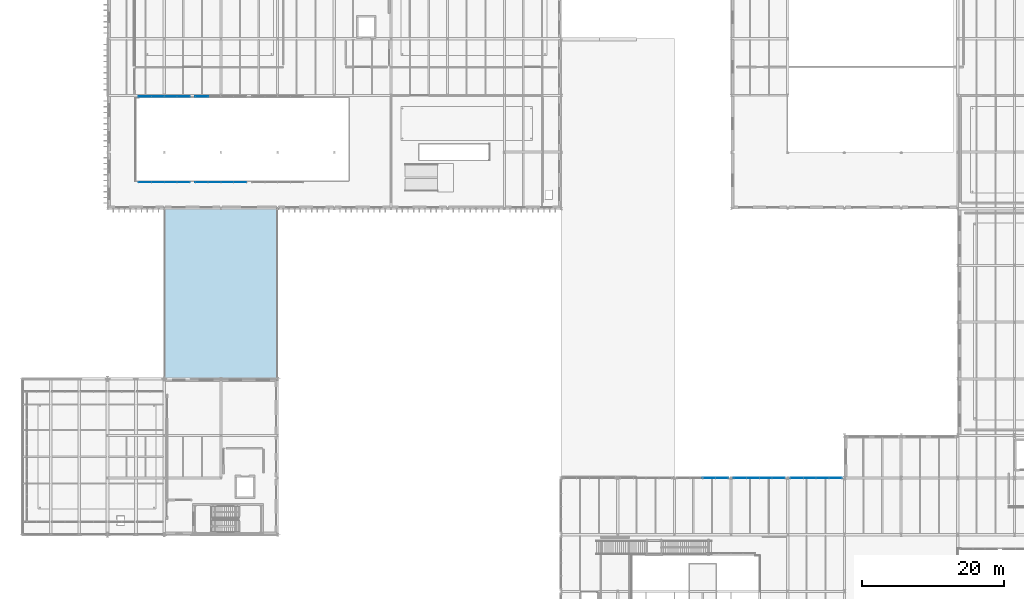
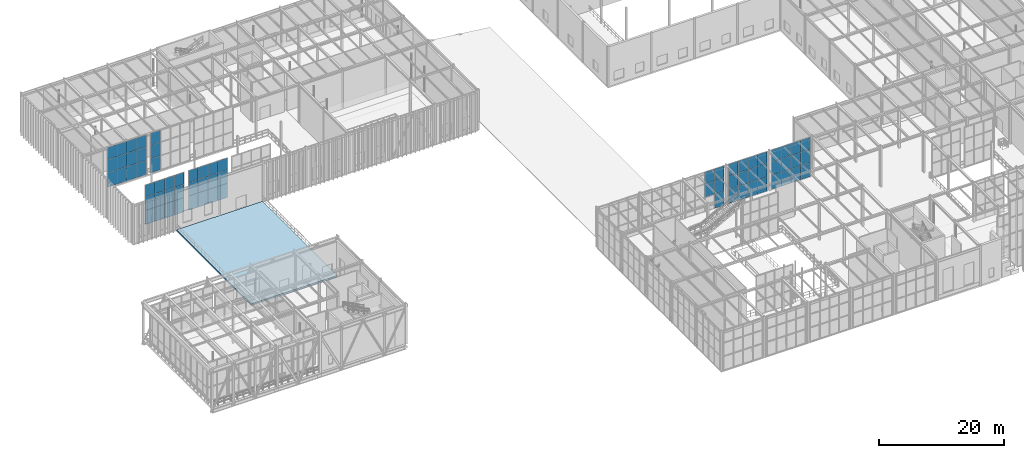
# One storey, part 77 of 138: 68 plates, 1 slab, 7 elements without a shape of their own.
"""IFC4 building model written with IfcOpenShell, lengths in metres."""

import ifcopenshell
import ifcopenshell.guid

model = None  # the IFC model being written
_history = None  # IfcOwnerHistory: only IFC2X3 demands one
_inside = {}  # id of a spatial element -> (the spatial element, [elements in it])
_under = {}  # id of a project, library or spatial element -> (it, [spatial elements below it])
_declared = {}  # id of a project -> (the project, [libraries it declares])
_typed = {}  # id of a type object -> (the type object, [elements of that type])
_made_of = {}  # id of a material, layer set ... -> (it, [elements and type objects made of it])


def new_model(schema):
    """Start an empty IFC model of exactly this schema.

    Asked for "IFC4X3", IfcOpenShell would pick the latest addendum, in which some entities
    have other attributes; the version numbers below select the first issue.
    IFC2X3 requires an IfcOwnerHistory on every rooted entity: one is made here for all.
    """
    global model, _history
    if schema == "IFC4X3":
        model = ifcopenshell.file(schema_version=(4, 3, 0, 0))
    else:
        model = ifcopenshell.file(schema=schema)
    _inside.clear()
    _under.clear()
    _declared.clear()
    _typed.clear()
    _made_of.clear()
    _history = None
    if model.schema == "IFC2X3":
        org = make("IfcOrganization", Name="unknown")
        user = make(
            "IfcPersonAndOrganization",
            ThePerson=make("IfcPerson", FamilyName="unknown"),
            TheOrganization=org,
        )
        app = make(
            "IfcApplication",
            ApplicationDeveloper=org,
            Version="unknown",
            ApplicationFullName="unknown",
            ApplicationIdentifier="unknown",
        )
        _history = make(
            "IfcOwnerHistory",
            OwningUser=user,
            OwningApplication=app,
            ChangeAction="ADDED",
            CreationDate=0,
        )
    return model


def make(cls, **values):
    """One entity of the class cls with the attributes given. An attribute that is None is left unset."""
    return model.create_entity(
        cls, **{name: value for name, value in values.items() if value is not None}
    )


def rooted(cls, **values):
    """An entity with a GlobalId (a new one), such as an element, a storey or a relation."""
    return make(cls, GlobalId=ifcopenshell.guid.new(), OwnerHistory=_history, **values)


def si_unit(unit_type, name, prefix=None):
    """IfcSIUnit, for example si_unit("LENGTHUNIT", "METRE", prefix="MILLI")."""
    return make("IfcSIUnit", UnitType=unit_type, Prefix=prefix, Name=name)


def assignment(units):
    """IfcUnitAssignment: the units of a project."""
    return None if units is None else make("IfcUnitAssignment", Units=units)


def point(xyz):
    """IfcCartesianPoint."""
    return None if xyz is None else make("IfcCartesianPoint", Coordinates=xyz)


def direction(xyz):
    """IfcDirection."""
    return None if xyz is None else make("IfcDirection", DirectionRatios=xyz)


def frame(location, z_axis=None, x_axis=None):
    """IfcAxis2Placement3D, a coordinate frame: its origin and axes. An axis left out is left unset."""
    return make(
        "IfcAxis2Placement3D",
        Location=point(location),
        Axis=direction(z_axis),
        RefDirection=direction(x_axis),
    )


def frame_2d(location, x_axis=None):
    """IfcAxis2Placement2D, a coordinate frame in the plane: its origin and x axis."""
    return make(
        "IfcAxis2Placement2D", Location=point(location), RefDirection=direction(x_axis)
    )


def origin():
    """The frame at (0, 0, 0) with its axes left unset."""
    return frame((0.0, 0.0, 0.0))


def origin_2d():
    """The frame at (0, 0) in the plane with its x axis left unset."""
    return frame_2d((0.0, 0.0))


def place(relative_to, where):
    """IfcLocalPlacement: puts the frame where relative to a parent placement (None: the world)."""
    return make(
        "IfcLocalPlacement", PlacementRelTo=relative_to, RelativePlacement=where
    )


def context(
    kind, dimensions, precision=None, world=None, true_north=None, identifier=None
):
    """IfcGeometricRepresentationContext, for example the 3D "Model" context."""
    return make(
        "IfcGeometricRepresentationContext",
        ContextIdentifier=identifier,
        ContextType=kind,
        CoordinateSpaceDimension=dimensions,
        Precision=precision,
        WorldCoordinateSystem=world,
        TrueNorth=true_north,
    )


def subcontext(parent, identifier, kind, view, scale=None):
    """IfcGeometricRepresentationSubContext, for example "Body" below "Model"."""
    return make(
        "IfcGeometricRepresentationSubContext",
        ContextIdentifier=identifier,
        ContextType=kind,
        ParentContext=parent,
        TargetScale=scale,
        TargetView=view,
    )


def project(units=None, contexts=None):
    """IfcProject with its units and contexts."""
    return rooted(
        "IfcProject",
        Name="project",
        RepresentationContexts=contexts,
        UnitsInContext=assignment(units),
    )


def spatial(cls, under=None, at=None, **own):
    """A site, building, storey or space (cls), placed at a placement, below another one or the project."""
    s = rooted(cls, ObjectPlacement=at, **own)
    if under is not None:
        _under.setdefault(under.id(), (under, []))[1].append(s)
    return s


def polyline(points):
    """IfcPolyline through the points."""
    return make("IfcPolyline", Points=[point(p) for p in points])


def profile(cls, at=None, kind="AREA", **sizes):
    """A parametric profile (cls). Its sizes go by their IFC names, for example OverallWidth=200.0."""
    return make(cls, ProfileType=kind, Position=at, **sizes)


def rectangle(**sizes):
    """IfcRectangleProfileDef."""
    return profile("IfcRectangleProfileDef", **sizes)


def outline(outer, holes=None, kind="AREA"):
    """IfcArbitraryClosedProfileDef: a profile drawn as a closed curve; with holes, ...WithVoids."""
    if holes is None:
        return make("IfcArbitraryClosedProfileDef", ProfileType=kind, OuterCurve=outer)
    return make(
        "IfcArbitraryProfileDefWithVoids",
        ProfileType=kind,
        OuterCurve=outer,
        InnerCurves=holes,
    )


def extrude(swept, where, along, depth):
    """IfcExtrudedAreaSolid: the profile swept, set in the frame where, extruded along a direction by depth."""
    return make(
        "IfcExtrudedAreaSolid",
        SweptArea=swept,
        Position=where,
        ExtrudedDirection=direction(along),
        Depth=depth,
    )


def shape(context_of_items, identifier, shape_type, items):
    """IfcShapeRepresentation: the items that make up one representation, for example the "Body"."""
    return make(
        "IfcShapeRepresentation",
        ContextOfItems=context_of_items,
        RepresentationIdentifier=identifier,
        RepresentationType=shape_type,
        Items=items,
    )


def material(Name=None, Category=None):
    """IfcMaterial."""
    return make("IfcMaterial", Name=Name, Category=Category)


def layer(
    of_material, thickness, ventilated=None, Name=None, Category=None, Priority=None
):
    """IfcMaterialLayer: one layer of a wall or slab, of a material (None: an air gap)."""
    return make(
        "IfcMaterialLayer",
        Material=of_material,
        LayerThickness=thickness,
        IsVentilated=ventilated,
        Name=Name,
        Category=Category,
        Priority=Priority,
    )


def layer_set(layers, Name=None):
    """IfcMaterialLayerSet."""
    return make("IfcMaterialLayerSet", MaterialLayers=layers, LayerSetName=Name)


def made_of(thing, what):
    """Note that an element or type object is made of a material, layer set ...; save() writes the relation."""
    if what is not None:
        _made_of.setdefault(what.id(), (what, []))[1].append(thing)
    return thing


def type_object(cls, material=None, **own):
    """A type object (cls), such as IfcWallType, which elements share."""
    return made_of(rooted(cls, **own), material)


def element(
    cls,
    number,
    at=None,
    inside=None,
    cuts=None,
    type_object=None,
    material=None,
    context=None,
    identifier="Body",
    shape_type=None,
    held_by="IfcProductDefinitionShape",
    body=None,
    shapes=None,
    **own,
):
    """One element of the class cls, such as IfcWall. Its Tag is "e" and its number.

    at: its placement. inside: the storey or other place that contains it. cuts: it is an
    opening in that element (IfcRelVoidsElement). A single representation is given by context,
    identifier, shape_type and body (its items); several are given by shapes. held_by: the class
    of the entity that holds the representations. save() writes the other relations.
    """
    e = rooted(cls, Tag="e%d" % number, ObjectPlacement=at, **own)
    if body is not None:
        shapes = [shape(context, identifier, shape_type, body)]
    if shapes is not None:
        e.Representation = make(held_by, Representations=shapes)
    if inside is not None:
        _inside.setdefault(inside.id(), (inside, []))[1].append(e)
    if cuts is not None:
        rooted(
            "IfcRelVoidsElement", RelatingBuildingElement=cuts, RelatedOpeningElement=e
        )
    if type_object is not None:
        _typed.setdefault(type_object.id(), (type_object, []))[1].append(e)
    return made_of(e, material)


def aggregate(whole, parts):
    """IfcRelAggregates: a whole, such as a stair, and the parts it consists of."""
    return rooted("IfcRelAggregates", RelatingObject=whole, RelatedObjects=parts)


def save(model, path):
    """Write the relations noted so far, then the file.

    IfcRelAggregates (storeys below a building ...), IfcRelContainedInSpatialStructure (elements
    in a storey), IfcRelDefinesByType, IfcRelAssociatesMaterial and IfcRelDeclares: one each for
    every whole, place, type object, material and project.
    """
    for whole, parts in _under.values():
        aggregate(whole, parts)
    for where, things in _inside.values():
        rooted(
            "IfcRelContainedInSpatialStructure",
            RelatedElements=things,
            RelatingStructure=where,
        )
    for kind, things in _typed.values():
        rooted("IfcRelDefinesByType", RelatedObjects=things, RelatingType=kind)
    for what, things in _made_of.values():
        rooted("IfcRelAssociatesMaterial", RelatedObjects=things, RelatingMaterial=what)
    for by, libraries in _declared.values():
        rooted("IfcRelDeclares", RelatingContext=by, RelatedDefinitions=libraries)
    model.write(path)


model = new_model("IFC4")

# Units and contexts
model_context = context("Model", 3, precision=1e-05, world=origin(), true_north=direction((0.0, 1.0)))
body_context = subcontext(model_context, "Body", "Model", "MODEL_VIEW")
ifc_project = project(units=[si_unit("LENGTHUNIT", "METRE"), si_unit("AREAUNIT", "SQUARE_METRE"), si_unit("VOLUMEUNIT", "CUBIC_METRE"), si_unit("PLANEANGLEUNIT", "RADIAN"), si_unit("MASSUNIT", "GRAM", prefix="KILO")], contexts=[model_context])

# Site, building, storey
site_placement = place(None, origin())
site = spatial("IfcSite", under=ifc_project, at=site_placement, CompositionType="ELEMENT")
building_placement = place(site_placement, origin())
building = spatial("IfcBuilding", under=site, at=building_placement, Name="Sundkrona Museum", CompositionType="ELEMENT")
storey_placement = place(building_placement, frame((0.0, 0.0, 9.60009765625)))
storey = spatial("IfcBuildingStorey", under=building, at=storey_placement, Name="L02", CompositionType="ELEMENT", Elevation=9.60009765625)

# Curtain wall, plates
ifc_material_1 = material(Name="Unitised Aluminium-Steel and Ceramic-Clad Curtain Walling", Category="steel")
curtain_wall_type_1 = type_object("IfcCurtainWallType", Name="CW-AT-72x74", PredefinedType="NOTDEFINED", material=ifc_material_1)
curtain_wall_1_placement = place(storey_placement, origin())
curtain_wall_1 = element("IfcCurtainWall", 1, at=curtain_wall_1_placement, inside=storey, type_object=curtain_wall_type_1, Name="L02 Curtain Wall CW-L02-055", PredefinedType="NOTDEFINED")
ifc_material_2 = material(Name="Triple Low-E Vision Glazing 32 mm", Category="glass")
ifc_layer_1 = layer(ifc_material_2, 0.031982421875)
ifc_layer_set_1 = layer_set([ifc_layer_1], Name="Triple Low-E Vision Glazing 32 mm")
plate_type = type_object("IfcPlateType", Name="PN-GL-01", PredefinedType="CURTAIN_PANEL", material=ifc_layer_set_1)
plate_1_placement = place(storey_placement, frame((100.89990234375, 40.0, 2.78564453125), z_axis=(0.0, 0.0, 1.0), x_axis=(1.0, 0.0, 0.0)))
plate_1 = element("IfcPlate", 2, at=plate_1_placement, type_object=plate_type, Name="CW-L02-055 Panel 08", PredefinedType="CURTAIN_PANEL", context=body_context, shape_type="SweptSolid", body=[
    extrude(rectangle(XDim=1.800048828125, YDim=0.031982421875, at=origin_2d()), origin(), (0.0, 0.0, 1.0), 2.632080078125),
])
plate_2_placement = place(storey_placement, frame((100.89990234375, 40.0, 5.41796875), z_axis=(0.0, 0.0, 1.0), x_axis=(1.0, 0.0, 0.0)))
plate_2 = element("IfcPlate", 3, at=plate_2_placement, type_object=plate_type, Name="CW-L02-055 Panel 09", PredefinedType="CURTAIN_PANEL", context=body_context, shape_type="SweptSolid", body=[
    extrude(rectangle(XDim=1.800048828125, YDim=0.031982421875, at=origin_2d()), origin(), (0.0, 0.0, 1.0), 2.325927734375),
])
plate_3_placement = place(storey_placement, frame((102.699951171875, 40.0, -0.004150390625), z_axis=(0.0, 0.0, 1.0), x_axis=(1.0, 0.0, 0.0)))
plate_3 = element("IfcPlate", 4, at=plate_3_placement, type_object=plate_type, Name="CW-L02-055 Panel 10", PredefinedType="CURTAIN_PANEL", context=body_context, shape_type="SweptSolid", body=[
    extrude(rectangle(XDim=1.800048828125, YDim=0.031982421875, at=origin_2d()), origin(), (0.0, 0.0, 1.0), 2.7900390625),
])
plate_4_placement = place(storey_placement, frame((102.699951171875, 40.0, 2.78564453125), z_axis=(0.0, 0.0, 1.0), x_axis=(1.0, 0.0, 0.0)))
plate_4 = element("IfcPlate", 5, at=plate_4_placement, type_object=plate_type, Name="CW-L02-055 Panel 11", PredefinedType="CURTAIN_PANEL", context=body_context, shape_type="SweptSolid", body=[
    extrude(rectangle(XDim=1.800048828125, YDim=0.031982421875, at=origin_2d()), origin(), (0.0, 0.0, 1.0), 2.632080078125),
])
plate_5_placement = place(storey_placement, frame((102.699951171875, 40.0, 5.41796875), z_axis=(0.0, 0.0, 1.0), x_axis=(1.0, 0.0, 0.0)))
plate_5 = element("IfcPlate", 6, at=plate_5_placement, type_object=plate_type, Name="CW-L02-055 Panel 12", PredefinedType="CURTAIN_PANEL", context=body_context, shape_type="SweptSolid", body=[
    extrude(rectangle(XDim=1.800048828125, YDim=0.031982421875, at=origin_2d()), origin(), (0.0, 0.0, 1.0), 2.325927734375),
])
aggregate(curtain_wall_1, [plate_1, plate_2, plate_3, plate_4, plate_5])

curtain_wall_2_placement = place(storey_placement, origin())
curtain_wall_2 = element("IfcCurtainWall", 7, at=curtain_wall_2_placement, inside=storey, type_object=curtain_wall_type_1, Name="L02 Curtain Wall CW-L02-056", PredefinedType="NOTDEFINED")
plate_6_placement = place(storey_placement, frame((105.300048828125, 40.0, -0.004150390625), z_axis=(0.0, 0.0, 1.0), x_axis=(1.0, 0.0, 0.0)))
plate_6 = element("IfcPlate", 8, at=plate_6_placement, type_object=plate_type, Name="CW-L02-056 Panel 01", PredefinedType="CURTAIN_PANEL", context=body_context, shape_type="SweptSolid", body=[
    extrude(rectangle(XDim=1.800048828125, YDim=0.031982421875, at=origin_2d()), origin(), (0.0, 0.0, 1.0), 2.7900390625),
])
plate_7_placement = place(storey_placement, frame((105.300048828125, 40.0, 2.78564453125), z_axis=(0.0, 0.0, 1.0), x_axis=(1.0, 0.0, 0.0)))
plate_7 = element("IfcPlate", 9, at=plate_7_placement, type_object=plate_type, Name="CW-L02-056 Panel 02", PredefinedType="CURTAIN_PANEL", context=body_context, shape_type="SweptSolid", body=[
    extrude(rectangle(XDim=1.800048828125, YDim=0.031982421875, at=origin_2d()), origin(), (0.0, 0.0, 1.0), 2.632080078125),
])
plate_8_placement = place(storey_placement, frame((105.300048828125, 40.0, 5.41796875), z_axis=(0.0, 0.0, 1.0), x_axis=(1.0, 0.0, 0.0)))
plate_8 = element("IfcPlate", 10, at=plate_8_placement, type_object=plate_type, Name="CW-L02-056 Panel 03", PredefinedType="CURTAIN_PANEL", context=body_context, shape_type="SweptSolid", body=[
    extrude(rectangle(XDim=1.800048828125, YDim=0.031982421875, at=origin_2d()), origin(), (0.0, 0.0, 1.0), 2.325927734375),
])
plate_9_placement = place(storey_placement, frame((107.10009765625, 40.0, -0.004150390625), z_axis=(0.0, 0.0, 1.0), x_axis=(1.0, 0.0, 0.0)))
plate_9 = element("IfcPlate", 11, at=plate_9_placement, type_object=plate_type, Name="CW-L02-056 Panel 04", PredefinedType="CURTAIN_PANEL", context=body_context, shape_type="SweptSolid", body=[
    extrude(rectangle(XDim=1.800048828125, YDim=0.031982421875, at=origin_2d()), origin(), (0.0, 0.0, 1.0), 2.7900390625),
])
plate_10_placement = place(storey_placement, frame((107.10009765625, 40.0, 2.78564453125), z_axis=(0.0, 0.0, 1.0), x_axis=(1.0, 0.0, 0.0)))
plate_10 = element("IfcPlate", 12, at=plate_10_placement, type_object=plate_type, Name="CW-L02-056 Panel 05", PredefinedType="CURTAIN_PANEL", context=body_context, shape_type="SweptSolid", body=[
    extrude(rectangle(XDim=1.800048828125, YDim=0.031982421875, at=origin_2d()), origin(), (0.0, 0.0, 1.0), 2.632080078125),
])
plate_11_placement = place(storey_placement, frame((107.10009765625, 40.0, 5.41796875), z_axis=(0.0, 0.0, 1.0), x_axis=(1.0, 0.0, 0.0)))
plate_11 = element("IfcPlate", 13, at=plate_11_placement, type_object=plate_type, Name="CW-L02-056 Panel 06", PredefinedType="CURTAIN_PANEL", context=body_context, shape_type="SweptSolid", body=[
    extrude(rectangle(XDim=1.800048828125, YDim=0.031982421875, at=origin_2d()), origin(), (0.0, 0.0, 1.0), 2.325927734375),
])
plate_12_placement = place(storey_placement, frame((108.89990234375, 40.0, -0.004150390625), z_axis=(0.0, 0.0, 1.0), x_axis=(1.0, 0.0, 0.0)))
plate_12 = element("IfcPlate", 14, at=plate_12_placement, type_object=plate_type, Name="CW-L02-056 Panel 07", PredefinedType="CURTAIN_PANEL", context=body_context, shape_type="SweptSolid", body=[
    extrude(rectangle(XDim=1.800048828125, YDim=0.031982421875, at=origin_2d()), origin(), (0.0, 0.0, 1.0), 2.7900390625),
])
plate_13_placement = place(storey_placement, frame((108.89990234375, 40.0, 2.78564453125), z_axis=(0.0, 0.0, 1.0), x_axis=(1.0, 0.0, 0.0)))
plate_13 = element("IfcPlate", 15, at=plate_13_placement, type_object=plate_type, Name="CW-L02-056 Panel 08", PredefinedType="CURTAIN_PANEL", context=body_context, shape_type="SweptSolid", body=[
    extrude(rectangle(XDim=1.800048828125, YDim=0.031982421875, at=origin_2d()), origin(), (0.0, 0.0, 1.0), 2.632080078125),
])
plate_14_placement = place(storey_placement, frame((108.89990234375, 40.0, 5.41796875), z_axis=(0.0, 0.0, 1.0), x_axis=(1.0, 0.0, 0.0)))
plate_14 = element("IfcPlate", 16, at=plate_14_placement, type_object=plate_type, Name="CW-L02-056 Panel 09", PredefinedType="CURTAIN_PANEL", context=body_context, shape_type="SweptSolid", body=[
    extrude(rectangle(XDim=1.800048828125, YDim=0.031982421875, at=origin_2d()), origin(), (0.0, 0.0, 1.0), 2.325927734375),
])
plate_15_placement = place(storey_placement, frame((110.699951171875, 40.0, -0.004150390625), z_axis=(0.0, 0.0, 1.0), x_axis=(1.0, 0.0, 0.0)))
plate_15 = element("IfcPlate", 17, at=plate_15_placement, type_object=plate_type, Name="CW-L02-056 Panel 10", PredefinedType="CURTAIN_PANEL", context=body_context, shape_type="SweptSolid", body=[
    extrude(rectangle(XDim=1.800048828125, YDim=0.031982421875, at=origin_2d()), origin(), (0.0, 0.0, 1.0), 2.7900390625),
])
plate_16_placement = place(storey_placement, frame((110.699951171875, 40.0, 2.78564453125), z_axis=(0.0, 0.0, 1.0), x_axis=(1.0, 0.0, 0.0)))
plate_16 = element("IfcPlate", 18, at=plate_16_placement, type_object=plate_type, Name="CW-L02-056 Panel 11", PredefinedType="CURTAIN_PANEL", context=body_context, shape_type="SweptSolid", body=[
    extrude(rectangle(XDim=1.800048828125, YDim=0.031982421875, at=origin_2d()), origin(), (0.0, 0.0, 1.0), 2.632080078125),
])
plate_17_placement = place(storey_placement, frame((110.699951171875, 40.0, 5.41796875), z_axis=(0.0, 0.0, 1.0), x_axis=(1.0, 0.0, 0.0)))
plate_17 = element("IfcPlate", 19, at=plate_17_placement, type_object=plate_type, Name="CW-L02-056 Panel 12", PredefinedType="CURTAIN_PANEL", context=body_context, shape_type="SweptSolid", body=[
    extrude(rectangle(XDim=1.800048828125, YDim=0.031982421875, at=origin_2d()), origin(), (0.0, 0.0, 1.0), 2.325927734375),
])
aggregate(curtain_wall_2, [plate_6, plate_7, plate_8, plate_9, plate_10, plate_11, plate_12, plate_13, plate_14, plate_15, plate_16, plate_17])

curtain_wall_3_placement = place(storey_placement, origin())
curtain_wall_3 = element("IfcCurtainWall", 20, at=curtain_wall_3_placement, inside=storey, type_object=curtain_wall_type_1, Name="L02 Curtain Wall CW-L02-057", PredefinedType="NOTDEFINED")
plate_18_placement = place(storey_placement, frame((113.300048828125, 40.0, -0.004150390625), z_axis=(0.0, 0.0, 1.0), x_axis=(1.0, 0.0, 0.0)))
plate_18 = element("IfcPlate", 21, at=plate_18_placement, type_object=plate_type, Name="CW-L02-057 Panel 01", PredefinedType="CURTAIN_PANEL", context=body_context, shape_type="SweptSolid", body=[
    extrude(rectangle(XDim=1.800048828125, YDim=0.031982421875, at=origin_2d()), origin(), (0.0, 0.0, 1.0), 2.7900390625),
])
plate_19_placement = place(storey_placement, frame((113.300048828125, 40.0, 2.78564453125), z_axis=(0.0, 0.0, 1.0), x_axis=(1.0, 0.0, 0.0)))
plate_19 = element("IfcPlate", 22, at=plate_19_placement, type_object=plate_type, Name="CW-L02-057 Panel 02", PredefinedType="CURTAIN_PANEL", context=body_context, shape_type="SweptSolid", body=[
    extrude(rectangle(XDim=1.800048828125, YDim=0.031982421875, at=origin_2d()), origin(), (0.0, 0.0, 1.0), 2.632080078125),
])
plate_20_placement = place(storey_placement, frame((113.300048828125, 40.0, 5.41796875), z_axis=(0.0, 0.0, 1.0), x_axis=(1.0, 0.0, 0.0)))
plate_20 = element("IfcPlate", 23, at=plate_20_placement, type_object=plate_type, Name="CW-L02-057 Panel 03", PredefinedType="CURTAIN_PANEL", context=body_context, shape_type="SweptSolid", body=[
    extrude(rectangle(XDim=1.800048828125, YDim=0.031982421875, at=origin_2d()), origin(), (0.0, 0.0, 1.0), 2.325927734375),
])
plate_21_placement = place(storey_placement, frame((115.10009765625, 40.0, -0.004150390625), z_axis=(0.0, 0.0, 1.0), x_axis=(1.0, 0.0, 0.0)))
plate_21 = element("IfcPlate", 24, at=plate_21_placement, type_object=plate_type, Name="CW-L02-057 Panel 04", PredefinedType="CURTAIN_PANEL", context=body_context, shape_type="SweptSolid", body=[
    extrude(rectangle(XDim=1.800048828125, YDim=0.031982421875, at=origin_2d()), origin(), (0.0, 0.0, 1.0), 2.7900390625),
])
plate_22_placement = place(storey_placement, frame((115.10009765625, 40.0, 2.78564453125), z_axis=(0.0, 0.0, 1.0), x_axis=(1.0, 0.0, 0.0)))
plate_22 = element("IfcPlate", 25, at=plate_22_placement, type_object=plate_type, Name="CW-L02-057 Panel 05", PredefinedType="CURTAIN_PANEL", context=body_context, shape_type="SweptSolid", body=[
    extrude(rectangle(XDim=1.800048828125, YDim=0.031982421875, at=origin_2d()), origin(), (0.0, 0.0, 1.0), 2.632080078125),
])
plate_23_placement = place(storey_placement, frame((115.10009765625, 40.0, 5.41796875), z_axis=(0.0, 0.0, 1.0), x_axis=(1.0, 0.0, 0.0)))
plate_23 = element("IfcPlate", 26, at=plate_23_placement, type_object=plate_type, Name="CW-L02-057 Panel 06", PredefinedType="CURTAIN_PANEL", context=body_context, shape_type="SweptSolid", body=[
    extrude(rectangle(XDim=1.800048828125, YDim=0.031982421875, at=origin_2d()), origin(), (0.0, 0.0, 1.0), 2.325927734375),
])
plate_24_placement = place(storey_placement, frame((116.89990234375, 40.0, -0.004150390625), z_axis=(0.0, 0.0, 1.0), x_axis=(1.0, 0.0, 0.0)))
plate_24 = element("IfcPlate", 27, at=plate_24_placement, type_object=plate_type, Name="CW-L02-057 Panel 07", PredefinedType="CURTAIN_PANEL", context=body_context, shape_type="SweptSolid", body=[
    extrude(rectangle(XDim=1.800048828125, YDim=0.031982421875, at=origin_2d()), origin(), (0.0, 0.0, 1.0), 2.7900390625),
])
plate_25_placement = place(storey_placement, frame((116.89990234375, 40.0, 2.78564453125), z_axis=(0.0, 0.0, 1.0), x_axis=(1.0, 0.0, 0.0)))
plate_25 = element("IfcPlate", 28, at=plate_25_placement, type_object=plate_type, Name="CW-L02-057 Panel 08", PredefinedType="CURTAIN_PANEL", context=body_context, shape_type="SweptSolid", body=[
    extrude(rectangle(XDim=1.800048828125, YDim=0.031982421875, at=origin_2d()), origin(), (0.0, 0.0, 1.0), 2.632080078125),
])
plate_26_placement = place(storey_placement, frame((116.89990234375, 40.0, 5.41796875), z_axis=(0.0, 0.0, 1.0), x_axis=(1.0, 0.0, 0.0)))
plate_26 = element("IfcPlate", 29, at=plate_26_placement, type_object=plate_type, Name="CW-L02-057 Panel 09", PredefinedType="CURTAIN_PANEL", context=body_context, shape_type="SweptSolid", body=[
    extrude(rectangle(XDim=1.800048828125, YDim=0.031982421875, at=origin_2d()), origin(), (0.0, 0.0, 1.0), 2.325927734375),
])
plate_27_placement = place(storey_placement, frame((118.699951171875, 40.0, -0.004150390625), z_axis=(0.0, 0.0, 1.0), x_axis=(1.0, 0.0, 0.0)))
plate_27 = element("IfcPlate", 30, at=plate_27_placement, type_object=plate_type, Name="CW-L02-057 Panel 10", PredefinedType="CURTAIN_PANEL", context=body_context, shape_type="SweptSolid", body=[
    extrude(rectangle(XDim=1.800048828125, YDim=0.031982421875, at=origin_2d()), origin(), (0.0, 0.0, 1.0), 2.7900390625),
])
plate_28_placement = place(storey_placement, frame((118.699951171875, 40.0, 2.78564453125), z_axis=(0.0, 0.0, 1.0), x_axis=(1.0, 0.0, 0.0)))
plate_28 = element("IfcPlate", 31, at=plate_28_placement, type_object=plate_type, Name="CW-L02-057 Panel 11", PredefinedType="CURTAIN_PANEL", context=body_context, shape_type="SweptSolid", body=[
    extrude(rectangle(XDim=1.800048828125, YDim=0.031982421875, at=origin_2d()), origin(), (0.0, 0.0, 1.0), 2.632080078125),
])
plate_29_placement = place(storey_placement, frame((118.699951171875, 40.0, 5.41796875), z_axis=(0.0, 0.0, 1.0), x_axis=(1.0, 0.0, 0.0)))
plate_29 = element("IfcPlate", 32, at=plate_29_placement, type_object=plate_type, Name="CW-L02-057 Panel 12", PredefinedType="CURTAIN_PANEL", context=body_context, shape_type="SweptSolid", body=[
    extrude(rectangle(XDim=1.800048828125, YDim=0.031982421875, at=origin_2d()), origin(), (0.0, 0.0, 1.0), 2.325927734375),
])
aggregate(curtain_wall_3, [plate_18, plate_19, plate_20, plate_21, plate_22, plate_23, plate_24, plate_25, plate_26, plate_27, plate_28, plate_29])

curtain_wall_type_2 = type_object("IfcCurtainWallType", Name="CW-CL-64x48", PredefinedType="NOTDEFINED", material=ifc_material_1)
curtain_wall_4_placement = place(storey_placement, origin())
curtain_wall_4 = element("IfcCurtainWall", 33, at=curtain_wall_4_placement, inside=storey, type_object=curtain_wall_type_2, Name="L02 Curtain Wall CW-L02-130", PredefinedType="NOTDEFINED")
plate_30_placement = place(storey_placement, frame((21.300048828125, 81.75, -0.00390625), z_axis=(0.0, 0.0, 1.0), x_axis=(1.0, 0.0, 0.0)))
plate_30 = element("IfcPlate", 34, at=plate_30_placement, type_object=plate_type, Name="CW-L02-130 Panel 01", PredefinedType="CURTAIN_PANEL", context=body_context, shape_type="SweptSolid", body=[
    extrude(rectangle(XDim=1.800048828125, YDim=0.031982421875, at=origin_2d()), origin(), (0.0, 0.0, 1.0), 2.798095703125),
])
plate_31_placement = place(storey_placement, frame((21.300048828125, 81.75, 2.7939453125), z_axis=(0.0, 0.0, 1.0), x_axis=(1.0, 0.0, 0.0)))
plate_31 = element("IfcPlate", 35, at=plate_31_placement, type_object=plate_type, Name="CW-L02-130 Panel 02", PredefinedType="CURTAIN_PANEL", context=body_context, shape_type="SweptSolid", body=[
    extrude(rectangle(XDim=1.800048828125, YDim=0.031982421875, at=origin_2d()), origin(), (0.0, 0.0, 1.0), 2.637939453125),
])
plate_32_placement = place(storey_placement, frame((21.300048828125, 81.75, 5.431884765625), z_axis=(0.0, 0.0, 1.0), x_axis=(1.0, 0.0, 0.0)))
plate_32 = element("IfcPlate", 36, at=plate_32_placement, type_object=plate_type, Name="CW-L02-130 Panel 03", PredefinedType="CURTAIN_PANEL", context=body_context, shape_type="SweptSolid", body=[
    extrude(rectangle(XDim=1.800048828125, YDim=0.031982421875, at=origin_2d()), origin(), (0.0, 0.0, 1.0), 2.33203125),
])
plate_33_placement = place(storey_placement, frame((23.10009765625, 81.75, -0.00390625), z_axis=(0.0, 0.0, 1.0), x_axis=(1.0, 0.0, 0.0)))
plate_33 = element("IfcPlate", 37, at=plate_33_placement, type_object=plate_type, Name="CW-L02-130 Panel 04", PredefinedType="CURTAIN_PANEL", context=body_context, shape_type="SweptSolid", body=[
    extrude(rectangle(XDim=1.800048828125, YDim=0.031982421875, at=origin_2d()), origin(), (0.0, 0.0, 1.0), 2.798095703125),
])
plate_34_placement = place(storey_placement, frame((23.10009765625, 81.75, 2.7939453125), z_axis=(0.0, 0.0, 1.0), x_axis=(1.0, 0.0, 0.0)))
plate_34 = element("IfcPlate", 38, at=plate_34_placement, type_object=plate_type, Name="CW-L02-130 Panel 05", PredefinedType="CURTAIN_PANEL", context=body_context, shape_type="SweptSolid", body=[
    extrude(rectangle(XDim=1.800048828125, YDim=0.031982421875, at=origin_2d()), origin(), (0.0, 0.0, 1.0), 2.637939453125),
])
plate_35_placement = place(storey_placement, frame((23.10009765625, 81.75, 5.431884765625), z_axis=(0.0, 0.0, 1.0), x_axis=(1.0, 0.0, 0.0)))
plate_35 = element("IfcPlate", 39, at=plate_35_placement, type_object=plate_type, Name="CW-L02-130 Panel 06", PredefinedType="CURTAIN_PANEL", context=body_context, shape_type="SweptSolid", body=[
    extrude(rectangle(XDim=1.800048828125, YDim=0.031982421875, at=origin_2d()), origin(), (0.0, 0.0, 1.0), 2.33203125),
])
plate_36_placement = place(storey_placement, frame((24.89990234375, 81.75, -0.00390625), z_axis=(0.0, 0.0, 1.0), x_axis=(1.0, 0.0, 0.0)))
plate_36 = element("IfcPlate", 40, at=plate_36_placement, type_object=plate_type, Name="CW-L02-130 Panel 07", PredefinedType="CURTAIN_PANEL", context=body_context, shape_type="SweptSolid", body=[
    extrude(rectangle(XDim=1.800048828125, YDim=0.031982421875, at=origin_2d()), origin(), (0.0, 0.0, 1.0), 2.798095703125),
])
plate_37_placement = place(storey_placement, frame((24.89990234375, 81.75, 2.7939453125), z_axis=(0.0, 0.0, 1.0), x_axis=(1.0, 0.0, 0.0)))
plate_37 = element("IfcPlate", 41, at=plate_37_placement, type_object=plate_type, Name="CW-L02-130 Panel 08", PredefinedType="CURTAIN_PANEL", context=body_context, shape_type="SweptSolid", body=[
    extrude(rectangle(XDim=1.800048828125, YDim=0.031982421875, at=origin_2d()), origin(), (0.0, 0.0, 1.0), 2.637939453125),
])
plate_38_placement = place(storey_placement, frame((24.89990234375, 81.75, 5.431884765625), z_axis=(0.0, 0.0, 1.0), x_axis=(1.0, 0.0, 0.0)))
plate_38 = element("IfcPlate", 42, at=plate_38_placement, type_object=plate_type, Name="CW-L02-130 Panel 09", PredefinedType="CURTAIN_PANEL", context=body_context, shape_type="SweptSolid", body=[
    extrude(rectangle(XDim=1.800048828125, YDim=0.031982421875, at=origin_2d()), origin(), (0.0, 0.0, 1.0), 2.33203125),
])
plate_39_placement = place(storey_placement, frame((26.699951171875, 81.75, -0.00390625), z_axis=(0.0, 0.0, 1.0), x_axis=(1.0, 0.0, 0.0)))
plate_39 = element("IfcPlate", 43, at=plate_39_placement, type_object=plate_type, Name="CW-L02-130 Panel 10", PredefinedType="CURTAIN_PANEL", context=body_context, shape_type="SweptSolid", body=[
    extrude(rectangle(XDim=1.800048828125, YDim=0.031982421875, at=origin_2d()), origin(), (0.0, 0.0, 1.0), 2.798095703125),
])
plate_40_placement = place(storey_placement, frame((26.699951171875, 81.75, 2.7939453125), z_axis=(0.0, 0.0, 1.0), x_axis=(1.0, 0.0, 0.0)))
plate_40 = element("IfcPlate", 44, at=plate_40_placement, type_object=plate_type, Name="CW-L02-130 Panel 11", PredefinedType="CURTAIN_PANEL", context=body_context, shape_type="SweptSolid", body=[
    extrude(rectangle(XDim=1.800048828125, YDim=0.031982421875, at=origin_2d()), origin(), (0.0, 0.0, 1.0), 2.637939453125),
])
plate_41_placement = place(storey_placement, frame((26.699951171875, 81.75, 5.431884765625), z_axis=(0.0, 0.0, 1.0), x_axis=(1.0, 0.0, 0.0)))
plate_41 = element("IfcPlate", 45, at=plate_41_placement, type_object=plate_type, Name="CW-L02-130 Panel 12", PredefinedType="CURTAIN_PANEL", context=body_context, shape_type="SweptSolid", body=[
    extrude(rectangle(XDim=1.800048828125, YDim=0.031982421875, at=origin_2d()), origin(), (0.0, 0.0, 1.0), 2.33203125),
])
aggregate(curtain_wall_4, [plate_30, plate_31, plate_32, plate_33, plate_34, plate_35, plate_36, plate_37, plate_38, plate_39, plate_40, plate_41])

curtain_wall_5_placement = place(storey_placement, origin())
curtain_wall_5 = element("IfcCurtainWall", 46, at=curtain_wall_5_placement, inside=storey, type_object=curtain_wall_type_2, Name="L02 Curtain Wall CW-L02-131", PredefinedType="NOTDEFINED")
plate_42_placement = place(storey_placement, frame((21.300048828125, 93.85009765625, -0.00390625), z_axis=(0.0, 0.0, 1.0), x_axis=(1.0, 0.0, 0.0)))
plate_42 = element("IfcPlate", 47, at=plate_42_placement, type_object=plate_type, Name="CW-L02-131 Panel 01", PredefinedType="CURTAIN_PANEL", context=body_context, shape_type="SweptSolid", body=[
    extrude(rectangle(XDim=1.800048828125, YDim=0.031982421875, at=origin_2d()), origin(), (0.0, 0.0, 1.0), 2.798095703125),
])
plate_43_placement = place(storey_placement, frame((21.300048828125, 93.85009765625, 2.7939453125), z_axis=(0.0, 0.0, 1.0), x_axis=(1.0, 0.0, 0.0)))
plate_43 = element("IfcPlate", 48, at=plate_43_placement, type_object=plate_type, Name="CW-L02-131 Panel 02", PredefinedType="CURTAIN_PANEL", context=body_context, shape_type="SweptSolid", body=[
    extrude(rectangle(XDim=1.800048828125, YDim=0.031982421875, at=origin_2d()), origin(), (0.0, 0.0, 1.0), 2.637939453125),
])
plate_44_placement = place(storey_placement, frame((21.300048828125, 93.85009765625, 5.431884765625), z_axis=(0.0, 0.0, 1.0), x_axis=(1.0, 0.0, 0.0)))
plate_44 = element("IfcPlate", 49, at=plate_44_placement, type_object=plate_type, Name="CW-L02-131 Panel 03", PredefinedType="CURTAIN_PANEL", context=body_context, shape_type="SweptSolid", body=[
    extrude(rectangle(XDim=1.800048828125, YDim=0.031982421875, at=origin_2d()), origin(), (0.0, 0.0, 1.0), 2.33203125),
])
plate_45_placement = place(storey_placement, frame((23.10009765625, 93.85009765625, -0.00390625), z_axis=(0.0, 0.0, 1.0), x_axis=(1.0, 0.0, 0.0)))
plate_45 = element("IfcPlate", 50, at=plate_45_placement, type_object=plate_type, Name="CW-L02-131 Panel 04", PredefinedType="CURTAIN_PANEL", context=body_context, shape_type="SweptSolid", body=[
    extrude(rectangle(XDim=1.800048828125, YDim=0.031982421875, at=origin_2d()), origin(), (0.0, 0.0, 1.0), 2.798095703125),
])
plate_46_placement = place(storey_placement, frame((23.10009765625, 93.85009765625, 2.7939453125), z_axis=(0.0, 0.0, 1.0), x_axis=(1.0, 0.0, 0.0)))
plate_46 = element("IfcPlate", 51, at=plate_46_placement, type_object=plate_type, Name="CW-L02-131 Panel 05", PredefinedType="CURTAIN_PANEL", context=body_context, shape_type="SweptSolid", body=[
    extrude(rectangle(XDim=1.800048828125, YDim=0.031982421875, at=origin_2d()), origin(), (0.0, 0.0, 1.0), 2.637939453125),
])
plate_47_placement = place(storey_placement, frame((23.10009765625, 93.85009765625, 5.431884765625), z_axis=(0.0, 0.0, 1.0), x_axis=(1.0, 0.0, 0.0)))
plate_47 = element("IfcPlate", 52, at=plate_47_placement, type_object=plate_type, Name="CW-L02-131 Panel 06", PredefinedType="CURTAIN_PANEL", context=body_context, shape_type="SweptSolid", body=[
    extrude(rectangle(XDim=1.800048828125, YDim=0.031982421875, at=origin_2d()), origin(), (0.0, 0.0, 1.0), 2.33203125),
])
plate_48_placement = place(storey_placement, frame((24.89990234375, 93.85009765625, -0.00390625), z_axis=(0.0, 0.0, 1.0), x_axis=(1.0, 0.0, 0.0)))
plate_48 = element("IfcPlate", 53, at=plate_48_placement, type_object=plate_type, Name="CW-L02-131 Panel 07", PredefinedType="CURTAIN_PANEL", context=body_context, shape_type="SweptSolid", body=[
    extrude(rectangle(XDim=1.800048828125, YDim=0.031982421875, at=origin_2d()), origin(), (0.0, 0.0, 1.0), 2.798095703125),
])
plate_49_placement = place(storey_placement, frame((24.89990234375, 93.85009765625, 2.7939453125), z_axis=(0.0, 0.0, 1.0), x_axis=(1.0, 0.0, 0.0)))
plate_49 = element("IfcPlate", 54, at=plate_49_placement, type_object=plate_type, Name="CW-L02-131 Panel 08", PredefinedType="CURTAIN_PANEL", context=body_context, shape_type="SweptSolid", body=[
    extrude(rectangle(XDim=1.800048828125, YDim=0.031982421875, at=origin_2d()), origin(), (0.0, 0.0, 1.0), 2.637939453125),
])
plate_50_placement = place(storey_placement, frame((24.89990234375, 93.85009765625, 5.431884765625), z_axis=(0.0, 0.0, 1.0), x_axis=(1.0, 0.0, 0.0)))
plate_50 = element("IfcPlate", 55, at=plate_50_placement, type_object=plate_type, Name="CW-L02-131 Panel 09", PredefinedType="CURTAIN_PANEL", context=body_context, shape_type="SweptSolid", body=[
    extrude(rectangle(XDim=1.800048828125, YDim=0.031982421875, at=origin_2d()), origin(), (0.0, 0.0, 1.0), 2.33203125),
])
plate_51_placement = place(storey_placement, frame((26.699951171875, 93.85009765625, -0.00390625), z_axis=(0.0, 0.0, 1.0), x_axis=(1.0, 0.0, 0.0)))
plate_51 = element("IfcPlate", 56, at=plate_51_placement, type_object=plate_type, Name="CW-L02-131 Panel 10", PredefinedType="CURTAIN_PANEL", context=body_context, shape_type="SweptSolid", body=[
    extrude(rectangle(XDim=1.800048828125, YDim=0.031982421875, at=origin_2d()), origin(), (0.0, 0.0, 1.0), 2.798095703125),
])
plate_52_placement = place(storey_placement, frame((26.699951171875, 93.85009765625, 2.7939453125), z_axis=(0.0, 0.0, 1.0), x_axis=(1.0, 0.0, 0.0)))
plate_52 = element("IfcPlate", 57, at=plate_52_placement, type_object=plate_type, Name="CW-L02-131 Panel 11", PredefinedType="CURTAIN_PANEL", context=body_context, shape_type="SweptSolid", body=[
    extrude(rectangle(XDim=1.800048828125, YDim=0.031982421875, at=origin_2d()), origin(), (0.0, 0.0, 1.0), 2.637939453125),
])
plate_53_placement = place(storey_placement, frame((26.699951171875, 93.85009765625, 5.431884765625), z_axis=(0.0, 0.0, 1.0), x_axis=(1.0, 0.0, 0.0)))
plate_53 = element("IfcPlate", 58, at=plate_53_placement, type_object=plate_type, Name="CW-L02-131 Panel 12", PredefinedType="CURTAIN_PANEL", context=body_context, shape_type="SweptSolid", body=[
    extrude(rectangle(XDim=1.800048828125, YDim=0.031982421875, at=origin_2d()), origin(), (0.0, 0.0, 1.0), 2.33203125),
])
aggregate(curtain_wall_5, [plate_42, plate_43, plate_44, plate_45, plate_46, plate_47, plate_48, plate_49, plate_50, plate_51, plate_52, plate_53])

curtain_wall_6_placement = place(storey_placement, origin())
curtain_wall_6 = element("IfcCurtainWall", 59, at=curtain_wall_6_placement, inside=storey, type_object=curtain_wall_type_2, Name="L02 Curtain Wall CW-L02-132", PredefinedType="NOTDEFINED")
plate_54_placement = place(storey_placement, frame((29.300048828125, 81.75, -0.00390625), z_axis=(0.0, 0.0, 1.0), x_axis=(1.0, 0.0, 0.0)))
plate_54 = element("IfcPlate", 60, at=plate_54_placement, type_object=plate_type, Name="CW-L02-132 Panel 01", PredefinedType="CURTAIN_PANEL", context=body_context, shape_type="SweptSolid", body=[
    extrude(rectangle(XDim=1.800048828125, YDim=0.031982421875, at=origin_2d()), origin(), (0.0, 0.0, 1.0), 2.798095703125),
])
plate_55_placement = place(storey_placement, frame((29.300048828125, 81.75, 2.7939453125), z_axis=(0.0, 0.0, 1.0), x_axis=(1.0, 0.0, 0.0)))
plate_55 = element("IfcPlate", 61, at=plate_55_placement, type_object=plate_type, Name="CW-L02-132 Panel 02", PredefinedType="CURTAIN_PANEL", context=body_context, shape_type="SweptSolid", body=[
    extrude(rectangle(XDim=1.800048828125, YDim=0.031982421875, at=origin_2d()), origin(), (0.0, 0.0, 1.0), 2.637939453125),
])
plate_56_placement = place(storey_placement, frame((29.300048828125, 81.75, 5.431884765625), z_axis=(0.0, 0.0, 1.0), x_axis=(1.0, 0.0, 0.0)))
plate_56 = element("IfcPlate", 62, at=plate_56_placement, type_object=plate_type, Name="CW-L02-132 Panel 03", PredefinedType="CURTAIN_PANEL", context=body_context, shape_type="SweptSolid", body=[
    extrude(rectangle(XDim=1.800048828125, YDim=0.031982421875, at=origin_2d()), origin(), (0.0, 0.0, 1.0), 2.33203125),
])
plate_57_placement = place(storey_placement, frame((31.10009765625, 81.75, -0.00390625), z_axis=(0.0, 0.0, 1.0), x_axis=(1.0, 0.0, 0.0)))
plate_57 = element("IfcPlate", 63, at=plate_57_placement, type_object=plate_type, Name="CW-L02-132 Panel 04", PredefinedType="CURTAIN_PANEL", context=body_context, shape_type="SweptSolid", body=[
    extrude(rectangle(XDim=1.800048828125, YDim=0.031982421875, at=origin_2d()), origin(), (0.0, 0.0, 1.0), 2.798095703125),
])
plate_58_placement = place(storey_placement, frame((31.10009765625, 81.75, 2.7939453125), z_axis=(0.0, 0.0, 1.0), x_axis=(1.0, 0.0, 0.0)))
plate_58 = element("IfcPlate", 64, at=plate_58_placement, type_object=plate_type, Name="CW-L02-132 Panel 05", PredefinedType="CURTAIN_PANEL", context=body_context, shape_type="SweptSolid", body=[
    extrude(rectangle(XDim=1.800048828125, YDim=0.031982421875, at=origin_2d()), origin(), (0.0, 0.0, 1.0), 2.637939453125),
])
plate_59_placement = place(storey_placement, frame((31.10009765625, 81.75, 5.431884765625), z_axis=(0.0, 0.0, 1.0), x_axis=(1.0, 0.0, 0.0)))
plate_59 = element("IfcPlate", 65, at=plate_59_placement, type_object=plate_type, Name="CW-L02-132 Panel 06", PredefinedType="CURTAIN_PANEL", context=body_context, shape_type="SweptSolid", body=[
    extrude(rectangle(XDim=1.800048828125, YDim=0.031982421875, at=origin_2d()), origin(), (0.0, 0.0, 1.0), 2.33203125),
])
plate_60_placement = place(storey_placement, frame((32.89990234375, 81.75, -0.00390625), z_axis=(0.0, 0.0, 1.0), x_axis=(1.0, 0.0, 0.0)))
plate_60 = element("IfcPlate", 66, at=plate_60_placement, type_object=plate_type, Name="CW-L02-132 Panel 07", PredefinedType="CURTAIN_PANEL", context=body_context, shape_type="SweptSolid", body=[
    extrude(rectangle(XDim=1.800048828125, YDim=0.031982421875, at=origin_2d()), origin(), (0.0, 0.0, 1.0), 2.798095703125),
])
plate_61_placement = place(storey_placement, frame((32.89990234375, 81.75, 2.7939453125), z_axis=(0.0, 0.0, 1.0), x_axis=(1.0, 0.0, 0.0)))
plate_61 = element("IfcPlate", 67, at=plate_61_placement, type_object=plate_type, Name="CW-L02-132 Panel 08", PredefinedType="CURTAIN_PANEL", context=body_context, shape_type="SweptSolid", body=[
    extrude(rectangle(XDim=1.800048828125, YDim=0.031982421875, at=origin_2d()), origin(), (0.0, 0.0, 1.0), 2.637939453125),
])
plate_62_placement = place(storey_placement, frame((32.89990234375, 81.75, 5.431884765625), z_axis=(0.0, 0.0, 1.0), x_axis=(1.0, 0.0, 0.0)))
plate_62 = element("IfcPlate", 68, at=plate_62_placement, type_object=plate_type, Name="CW-L02-132 Panel 09", PredefinedType="CURTAIN_PANEL", context=body_context, shape_type="SweptSolid", body=[
    extrude(rectangle(XDim=1.800048828125, YDim=0.031982421875, at=origin_2d()), origin(), (0.0, 0.0, 1.0), 2.33203125),
])
plate_63_placement = place(storey_placement, frame((34.699951171875, 81.75, -0.00390625), z_axis=(0.0, 0.0, 1.0), x_axis=(1.0, 0.0, 0.0)))
plate_63 = element("IfcPlate", 69, at=plate_63_placement, type_object=plate_type, Name="CW-L02-132 Panel 10", PredefinedType="CURTAIN_PANEL", context=body_context, shape_type="SweptSolid", body=[
    extrude(rectangle(XDim=1.800048828125, YDim=0.031982421875, at=origin_2d()), origin(), (0.0, 0.0, 1.0), 2.798095703125),
])
plate_64_placement = place(storey_placement, frame((34.699951171875, 81.75, 2.7939453125), z_axis=(0.0, 0.0, 1.0), x_axis=(1.0, 0.0, 0.0)))
plate_64 = element("IfcPlate", 70, at=plate_64_placement, type_object=plate_type, Name="CW-L02-132 Panel 11", PredefinedType="CURTAIN_PANEL", context=body_context, shape_type="SweptSolid", body=[
    extrude(rectangle(XDim=1.800048828125, YDim=0.031982421875, at=origin_2d()), origin(), (0.0, 0.0, 1.0), 2.637939453125),
])
plate_65_placement = place(storey_placement, frame((34.699951171875, 81.75, 5.431884765625), z_axis=(0.0, 0.0, 1.0), x_axis=(1.0, 0.0, 0.0)))
plate_65 = element("IfcPlate", 71, at=plate_65_placement, type_object=plate_type, Name="CW-L02-132 Panel 12", PredefinedType="CURTAIN_PANEL", context=body_context, shape_type="SweptSolid", body=[
    extrude(rectangle(XDim=1.800048828125, YDim=0.031982421875, at=origin_2d()), origin(), (0.0, 0.0, 1.0), 2.33203125),
])
aggregate(curtain_wall_6, [plate_54, plate_55, plate_56, plate_57, plate_58, plate_59, plate_60, plate_61, plate_62, plate_63, plate_64, plate_65])

curtain_wall_7_placement = place(storey_placement, origin())
curtain_wall_7 = element("IfcCurtainWall", 72, at=curtain_wall_7_placement, inside=storey, type_object=curtain_wall_type_2, Name="L02 Curtain Wall CW-L02-133", PredefinedType="NOTDEFINED")
plate_66_placement = place(storey_placement, frame((29.300048828125, 93.85009765625, -0.00390625), z_axis=(0.0, 0.0, 1.0), x_axis=(1.0, 0.0, 0.0)))
plate_66 = element("IfcPlate", 73, at=plate_66_placement, type_object=plate_type, Name="CW-L02-133 Panel 01", PredefinedType="CURTAIN_PANEL", context=body_context, shape_type="SweptSolid", body=[
    extrude(rectangle(XDim=1.800048828125, YDim=0.031982421875, at=origin_2d()), origin(), (0.0, 0.0, 1.0), 2.798095703125),
])
plate_67_placement = place(storey_placement, frame((29.300048828125, 93.85009765625, 2.7939453125), z_axis=(0.0, 0.0, 1.0), x_axis=(1.0, 0.0, 0.0)))
plate_67 = element("IfcPlate", 74, at=plate_67_placement, type_object=plate_type, Name="CW-L02-133 Panel 02", PredefinedType="CURTAIN_PANEL", context=body_context, shape_type="SweptSolid", body=[
    extrude(rectangle(XDim=1.800048828125, YDim=0.031982421875, at=origin_2d()), origin(), (0.0, 0.0, 1.0), 2.637939453125),
])
plate_68_placement = place(storey_placement, frame((29.300048828125, 93.85009765625, 5.431884765625), z_axis=(0.0, 0.0, 1.0), x_axis=(1.0, 0.0, 0.0)))
plate_68 = element("IfcPlate", 75, at=plate_68_placement, type_object=plate_type, Name="CW-L02-133 Panel 03", PredefinedType="CURTAIN_PANEL", context=body_context, shape_type="SweptSolid", body=[
    extrude(rectangle(XDim=1.800048828125, YDim=0.031982421875, at=origin_2d()), origin(), (0.0, 0.0, 1.0), 2.33203125),
])
aggregate(curtain_wall_7, [plate_66, plate_67, plate_68])

# Slab
ifc_material_3 = material(Name="Concrete C35/45", Category="concrete")
ifc_layer_2 = layer(ifc_material_3, 0.300048828125)
ifc_layer_set_2 = layer_set([ifc_layer_2], Name="Concrete C35/45")
slab_type = type_object("IfcSlabType", Name="SL-GD-300", PredefinedType="FLOOR", material=ifc_layer_set_2)
slab_placement = place(storey_placement, frame((0.0, 0.0, -0.300048828125)))
element("IfcSlab", 76, at=slab_placement, inside=storey, type_object=slab_type, Name="L02 Planted roof-garden waterproofed structural deck 300 mm (SL-L02-V4L)", PredefinedType="FLOOR", context=body_context, shape_type="SweptSolid", body=[
    extrude(outline(polyline([(24.0, 54.0), (40.0, 54.0), (40.0, 78.0), (24.0, 78.0), (24.0, 54.0)])), origin(), (0.0, 0.0, 1.0), 0.300048828125),
])

save(model, "model.ifc")
